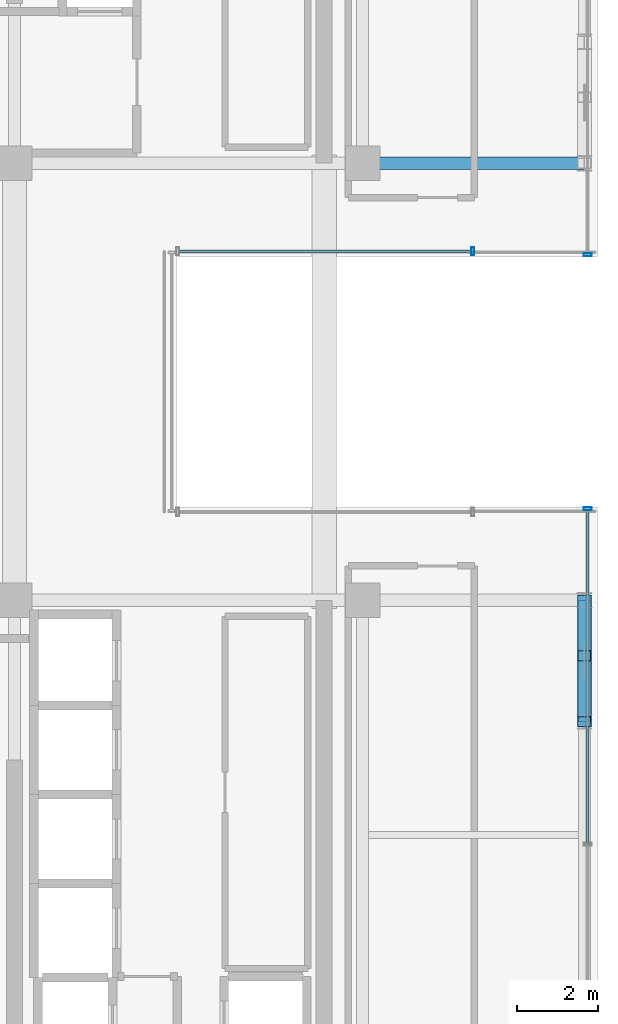
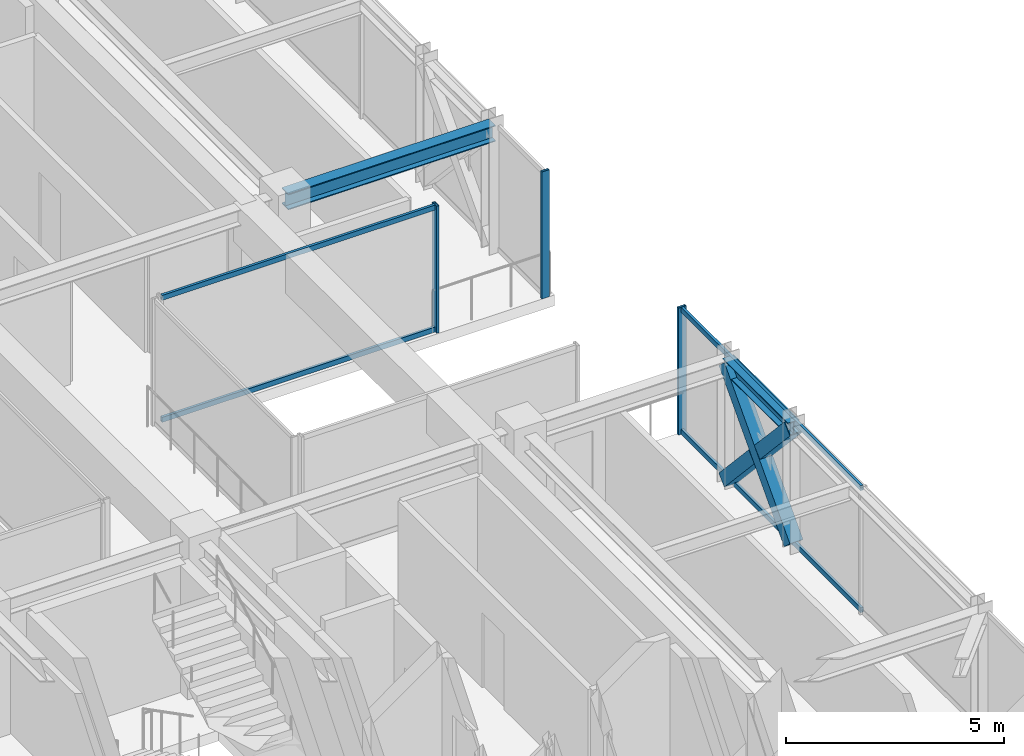
# One storey, part 20 of 37: 10 members, 2 beams, 3 elements without a shape of their own.
"""IFC4 building model written with IfcOpenShell, lengths in metres."""

from ifc_helpers import new_model, si_unit, direction, frame, origin, origin_2d, place, context, subcontext, project, spatial, hollow_rectangle, i_section, extrude, source, transform, mapped, material, material_profile, profile_set, type_object, element, aggregate, save


model = new_model("IFC4")

# Units and contexts
model_context = context("Model", 3, precision=1e-05, world=origin(), true_north=direction((0.0, 1.0)))
body_context = subcontext(model_context, "Body", "Model", "MODEL_VIEW")
ifc_project = project(units=[si_unit("LENGTHUNIT", "METRE"), si_unit("AREAUNIT", "SQUARE_METRE"), si_unit("VOLUMEUNIT", "CUBIC_METRE"), si_unit("PLANEANGLEUNIT", "RADIAN"), si_unit("MASSUNIT", "GRAM", prefix="KILO")], contexts=[model_context])

# Site, building, storey
site_placement = place(None, origin())
site = spatial("IfcSite", under=ifc_project, at=site_placement, CompositionType="ELEMENT")
building_placement = place(site_placement, origin())
building = spatial("IfcBuilding", under=site, at=building_placement, Name="Nahalor Promenade Grand Hotel", CompositionType="ELEMENT")
storey_placement = place(building_placement, frame((0.0, 0.0, 308.050048828125)))
storey = spatial("IfcBuildingStorey", under=building, at=storey_placement, Name="L79", CompositionType="ELEMENT", Elevation=308.050048828125)

# Beams
ifc_material_1 = material(Name="Steel S355JR", Category="steel")
ifc_material_profile_1 = material_profile(ifc_material_1, i_section(OverallWidth=0.3, OverallDepth=0.45, WebThickness=0.014, FlangeThickness=0.026, at=origin_2d()), Name="HEB 450")
ifc_profile_set_1 = profile_set([ifc_material_profile_1], Name="Steel S355JR")
beam_type_1 = type_object("IfcBeamType", Name="Beam-Girder-HEB450", PredefinedType="BEAM", material=ifc_profile_set_1)
shared_shape_1 = source(origin(), body_context, "Body", "SweptSolid", [
    extrude(i_section(OverallWidth=0.3, OverallDepth=0.45, WebThickness=0.014, FlangeThickness=0.026, at=origin_2d()), origin(), (0.0, 0.0, 1.0), 5.47998046875),
])
beam_1_placement = place(storey_placement, frame((17.0, 5.39990234375, 3.324951171875), z_axis=(1.0, 0.0, 0.0), x_axis=(0.0, 1.0, 0.0)))
element("IfcBeam", 1, at=beam_1_placement, inside=storey, type_object=beam_type_1, Name="BM-L79-GX-2-6", PredefinedType="BEAM", context=body_context, shape_type="MappedRepresentation", body=[
    mapped(shared_shape_1, transform((0.0, 0.0, 0.0), scale=1.0)),
])
ifc_material_profile_2 = material_profile(ifc_material_1, i_section(OverallWidth=0.3, OverallDepth=0.36, WebThickness=0.0125, FlangeThickness=0.0225, at=origin_2d()), Name="HEB 360")
ifc_profile_set_2 = profile_set([ifc_material_profile_2], Name="Steel S355JR")
beam_type_2 = type_object("IfcBeamType", Name="Beam-Spandrel-HEB360", PredefinedType="SPANDREL", material=ifc_profile_set_2)
shared_shape_2 = source(origin(), body_context, "Body", "SweptSolid", [
    extrude(i_section(OverallWidth=0.3, OverallDepth=0.36, WebThickness=0.0125, FlangeThickness=0.0225, at=origin_2d()), origin(), (0.0, 0.0, 1.0), 3.0),
])
beam_2_placement = place(storey_placement, frame((22.47998046875, -8.39990234375, 3.369873046875), z_axis=(0.0, 1.0, 0.0), x_axis=(-1.0, 0.0, 0.0)))
element("IfcBeam", 2, at=beam_2_placement, inside=storey, type_object=beam_type_2, Name="BM-L79-SP-E-1", PredefinedType="SPANDREL", context=body_context, shape_type="MappedRepresentation", body=[
    mapped(shared_shape_2, transform((0.0, 0.0, 0.0), scale=1.0)),
])

# Members
ifc_material_profile_3 = material_profile(ifc_material_1, hollow_rectangle(XDim=0.35, YDim=0.35, WallThickness=0.02, at=origin_2d()), Name="SHS 350x350x20")
ifc_profile_set_3 = profile_set([ifc_material_profile_3], Name="Steel S355JR")
member_type_1 = type_object("IfcMemberType", Name="Mem-VoidBrace-SHS350", PredefinedType="BRACE", material=ifc_profile_set_3)
shared_shape_3 = source(origin(), body_context, "Body", "SweptSolid", [
    extrude(hollow_rectangle(XDim=0.35, YDim=0.35, WallThickness=0.02, at=origin_2d()), origin(), (0.0, 0.0, 1.0), 4.4228515625),
])
member_1_placement = place(storey_placement, frame((22.47998046875, -8.39990234375, 0.14990234375), z_axis=(0.0, 0.678280102733, 0.734803444627), x_axis=(-1.0, 0.0, 0.0)))
element("IfcMember", 3, at=member_1_placement, inside=storey, type_object=member_type_1, Name="EXO-L79-VX1-E0", PredefinedType="BRACE", context=body_context, shape_type="MappedRepresentation", body=[
    mapped(shared_shape_3, transform((0.0, 0.0, 0.0), scale=1.0)),
])
shared_shape_4 = source(origin(), body_context, "Body", "SweptSolid", [
    extrude(hollow_rectangle(XDim=0.35, YDim=0.35, WallThickness=0.02, at=origin_2d()), origin(), (0.0, 0.0, 1.0), 2.02392578125),
])
for number, where, z_axis, x_axis, name in (
    (4, (22.47998046875, -5.39990234375, 0.14990234375), (0.0, -0.678255053132, 0.734826566545), (1.0, 0.0, 0.0), "EXO-L79-VX2-E0A"),
    (5, (22.47998046875, -7.027099609375, 1.912841796875), (0.0, -0.678315173958, 0.734771069639), (1.0, 0.0, 0.0), "EXO-L79-VX2-E0B"),
):
    element("IfcMember", number, at=place(storey_placement, frame(where, z_axis=z_axis, x_axis=x_axis)), inside=storey, type_object=member_type_1, Name=name, PredefinedType="BRACE", context=body_context, shape_type="MappedRepresentation", body=[
        mapped(shared_shape_4, transform((0.0, 0.0, 0.0), scale=1.0)),
    ])

# Curtain wall, members
ifc_material_2 = material(Name="Anodised Bronze Aluminium EN AW-6063 T6", Category="aluminium")
curtain_wall_type = type_object("IfcCurtainWallType", Name="CW3 Elliptical-Void Collar Unitised Curtain Wall", PredefinedType="USERDEFINED", material=ifc_material_2)
curtain_wall_1_placement = place(storey_placement, origin())
curtain_wall_1 = element("IfcCurtainWall", 6, at=curtain_wall_1_placement, inside=storey, type_object=curtain_wall_type, Name="L79 Curtain Wall CW-L79-VOID-EN1", ObjectType="UNITISED_CURTAIN_WALL", PredefinedType="USERDEFINED")
ifc_material_profile_4 = material_profile(ifc_material_2, hollow_rectangle(XDim=0.07, YDim=0.14, WallThickness=0.004, at=origin_2d()), Name="CWT 70x140x4")
ifc_profile_set_4 = profile_set([ifc_material_profile_4], Name="Anodised Bronze Aluminium EN AW-6063 T6")
member_type_2 = type_object("IfcMemberType", Name="CWT3 Void Collar Transom 70x140", PredefinedType="USERDEFINED", material=ifc_profile_set_4)
shared_shape_5 = source(origin(), body_context, "Body", "SweptSolid", [
    extrude(hollow_rectangle(XDim=0.07, YDim=0.14, WallThickness=0.004, at=origin_2d()), origin(), (0.0, 0.0, 1.0), 7.219970703125),
])
member_2_placement = place(storey_placement, frame((12.469970703125, 3.219970703125, 0.070068359375), z_axis=(1.0, 0.0, 0.0), x_axis=(0.0, 1.0, 0.0)))
member_2 = element("IfcMember", 7, at=member_2_placement, type_object=member_type_2, Name="CW-L79-VOID-EN1 Transom 0-0", ObjectType="TRANSOM", PredefinedType="USERDEFINED", context=body_context, shape_type="MappedRepresentation", body=[
    mapped(shared_shape_5, transform((0.0, 0.0, 0.0), scale=1.0)),
])
member_3_placement = place(storey_placement, frame((12.469970703125, 3.219970703125, 3.47998046875), z_axis=(1.0, 0.0, 0.0), x_axis=(0.0, 1.0, 0.0)))
member_3 = element("IfcMember", 8, at=member_3_placement, type_object=member_type_2, Name="CW-L79-VOID-EN1 Transom 0-1", ObjectType="TRANSOM", PredefinedType="USERDEFINED", context=body_context, shape_type="MappedRepresentation", body=[
    mapped(shared_shape_5, transform((0.0, 0.0, 0.0), scale=1.0)),
])

curtain_wall_2_placement = place(storey_placement, origin())
curtain_wall_2 = element("IfcCurtainWall", 9, at=curtain_wall_2_placement, inside=storey, type_object=curtain_wall_type, Name="L79 Curtain Wall CW-L79-E-1", ObjectType="UNITISED_CURTAIN_WALL", PredefinedType="USERDEFINED")
shared_shape_6 = source(origin(), body_context, "Body", "SweptSolid", [
    extrude(hollow_rectangle(XDim=0.07, YDim=0.14, WallThickness=0.004, at=origin_2d()), origin(), (0.0, 0.0, 1.0), 8.22509765625),
])
member_4_placement = place(storey_placement, frame((22.56005859375, -11.39501953125, 0.070068359375), z_axis=(0.0, 1.0, 0.0), x_axis=(-1.0, 0.0, 0.0)))
member_4 = element("IfcMember", 10, at=member_4_placement, type_object=member_type_2, Name="CW-L79-E-1 Transom 1-0", ObjectType="TRANSOM", PredefinedType="USERDEFINED", context=body_context, shape_type="MappedRepresentation", body=[
    mapped(shared_shape_6, transform((0.0, 0.0, 0.0), scale=1.0)),
])
member_5_placement = place(storey_placement, frame((22.56005859375, -11.39501953125, 3.47998046875), z_axis=(0.0, 1.0, 0.0), x_axis=(-1.0, 0.0, 0.0)))
member_5 = element("IfcMember", 11, at=member_5_placement, type_object=member_type_2, Name="CW-L79-E-1 Transom 1-1", ObjectType="TRANSOM", PredefinedType="USERDEFINED", context=body_context, shape_type="MappedRepresentation", body=[
    mapped(shared_shape_6, transform((0.0, 0.0, 0.0), scale=1.0)),
])
ifc_material_profile_5 = material_profile(ifc_material_2, hollow_rectangle(XDim=0.07, YDim=0.2, WallThickness=0.005, at=origin_2d()), Name="CWM 70x200x5")
ifc_profile_set_5 = profile_set([ifc_material_profile_5], Name="Anodised Bronze Aluminium EN AW-6063 T6")
member_type_3 = type_object("IfcMemberType", Name="CWM3 Void Collar Mullion 70x200", PredefinedType="MULLION", material=ifc_profile_set_5)
shared_shape_7 = source(origin(), body_context, "Body", "SweptSolid", [
    extrude(hollow_rectangle(XDim=0.07, YDim=0.2, WallThickness=0.005, at=origin_2d()), origin(), (0.0, 0.0, 1.0), 3.550048828125),
])
member_6_placement = place(storey_placement, frame((22.56005859375, -3.135009765625, 0.0), z_axis=(0.0, 0.0, 1.0), x_axis=(0.0, 1.0, 0.0)))
member_6 = element("IfcMember", 12, at=member_6_placement, type_object=member_type_3, Name="CW-L79-E-1 Mullion 2", PredefinedType="MULLION", context=body_context, shape_type="MappedRepresentation", body=[
    mapped(shared_shape_7, transform((0.0, 0.0, 0.0), scale=1.0)),
])
aggregate(curtain_wall_2, [member_6, member_4, member_5])

# Curtain wall, member
curtain_wall_3_placement = place(storey_placement, origin())
curtain_wall_3 = element("IfcCurtainWall", 13, at=curtain_wall_3_placement, inside=storey, type_object=curtain_wall_type, Name="L79 Curtain Wall CW-L79-E-2", ObjectType="UNITISED_CURTAIN_WALL", PredefinedType="USERDEFINED")
member_7_placement = place(storey_placement, frame((22.56005859375, 3.135009765625, 0.0), z_axis=(0.0, 0.0, 1.0), x_axis=(0.0, 1.0, 0.0)))
member_7 = element("IfcMember", 14, at=member_7_placement, type_object=member_type_3, Name="CW-L79-E-2 Mullion 0", PredefinedType="MULLION", context=body_context, shape_type="MappedRepresentation", body=[
    mapped(shared_shape_7, transform((0.0, 0.0, 0.0), scale=1.0)),
])
aggregate(curtain_wall_3, [member_7])

# Member
member_8_placement = place(storey_placement, frame((19.72509765625, 3.219970703125, 0.0), z_axis=(0.0, 0.0, 1.0), x_axis=(1.0, 0.0, 0.0)))
member_8 = element("IfcMember", 15, at=member_8_placement, type_object=member_type_3, Name="CW-L79-VOID-EN1 Mullion 1", PredefinedType="MULLION", context=body_context, shape_type="MappedRepresentation", body=[
    mapped(shared_shape_7, transform((0.0, 0.0, 0.0), scale=1.0)),
])

aggregate(curtain_wall_1, [member_8, member_2, member_3])

save(model, "model.ifc")
